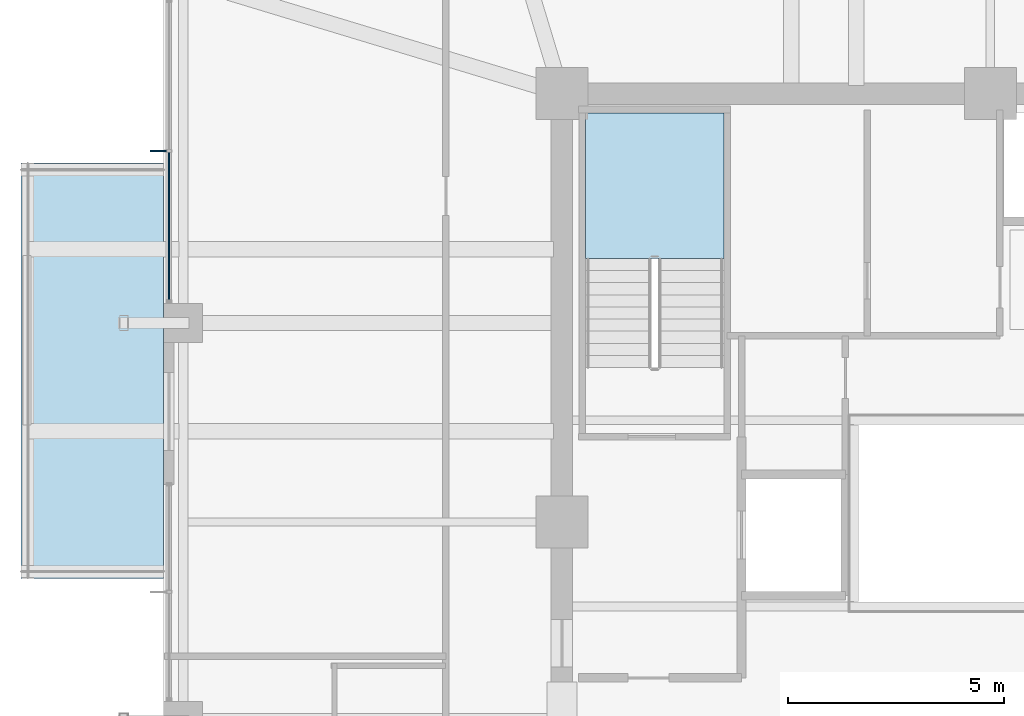
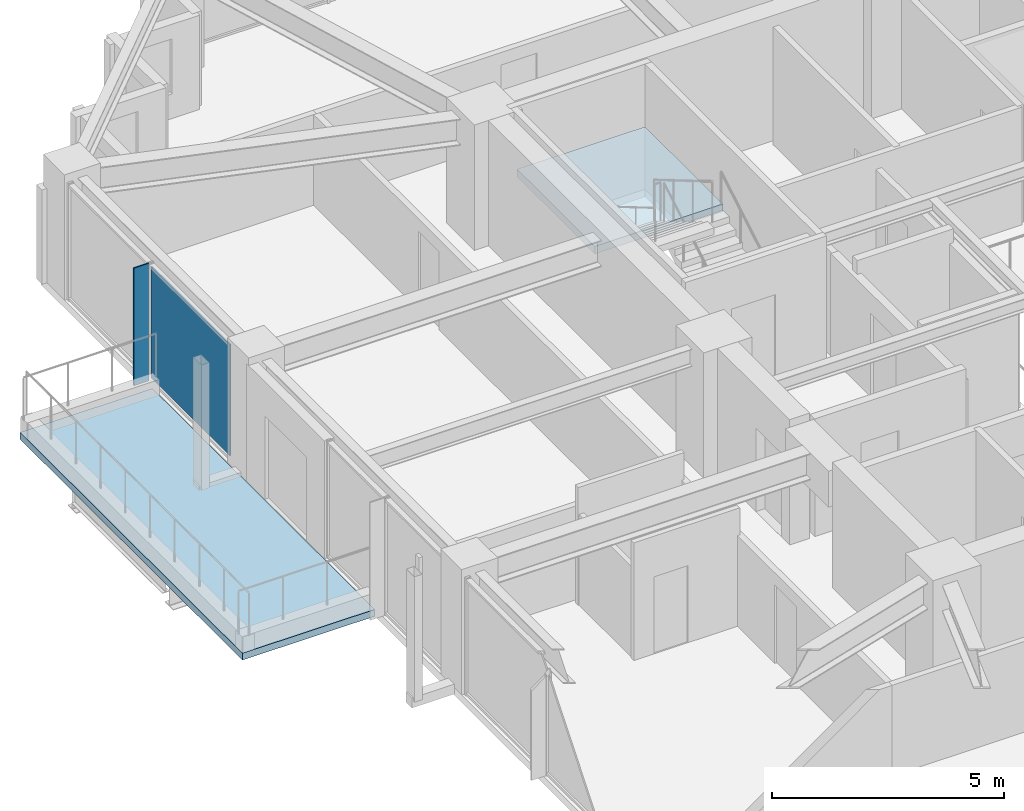
# One storey, part 23 of 34: 2 plates, 2 slabs, 2 elements without a shape of their own.
"""IFC4 building model written with IfcOpenShell, lengths in metres."""

import ifcopenshell
import ifcopenshell.guid

model = None  # the IFC model being written
_history = None  # IfcOwnerHistory: only IFC2X3 demands one
_inside = {}  # id of a spatial element -> (the spatial element, [elements in it])
_under = {}  # id of a project, library or spatial element -> (it, [spatial elements below it])
_declared = {}  # id of a project -> (the project, [libraries it declares])
_typed = {}  # id of a type object -> (the type object, [elements of that type])
_made_of = {}  # id of a material, layer set ... -> (it, [elements and type objects made of it])


def new_model(schema):
    """Start an empty IFC model of exactly this schema.

    Asked for "IFC4X3", IfcOpenShell would pick the latest addendum, in which some entities
    have other attributes; the version numbers below select the first issue.
    IFC2X3 requires an IfcOwnerHistory on every rooted entity: one is made here for all.
    """
    global model, _history
    if schema == "IFC4X3":
        model = ifcopenshell.file(schema_version=(4, 3, 0, 0))
    else:
        model = ifcopenshell.file(schema=schema)
    _inside.clear()
    _under.clear()
    _declared.clear()
    _typed.clear()
    _made_of.clear()
    _history = None
    if model.schema == "IFC2X3":
        org = make("IfcOrganization", Name="unknown")
        user = make(
            "IfcPersonAndOrganization",
            ThePerson=make("IfcPerson", FamilyName="unknown"),
            TheOrganization=org,
        )
        app = make(
            "IfcApplication",
            ApplicationDeveloper=org,
            Version="unknown",
            ApplicationFullName="unknown",
            ApplicationIdentifier="unknown",
        )
        _history = make(
            "IfcOwnerHistory",
            OwningUser=user,
            OwningApplication=app,
            ChangeAction="ADDED",
            CreationDate=0,
        )
    return model


def make(cls, **values):
    """One entity of the class cls with the attributes given. An attribute that is None is left unset."""
    return model.create_entity(
        cls, **{name: value for name, value in values.items() if value is not None}
    )


def rooted(cls, **values):
    """An entity with a GlobalId (a new one), such as an element, a storey or a relation."""
    return make(cls, GlobalId=ifcopenshell.guid.new(), OwnerHistory=_history, **values)


def si_unit(unit_type, name, prefix=None):
    """IfcSIUnit, for example si_unit("LENGTHUNIT", "METRE", prefix="MILLI")."""
    return make("IfcSIUnit", UnitType=unit_type, Prefix=prefix, Name=name)


def assignment(units):
    """IfcUnitAssignment: the units of a project."""
    return None if units is None else make("IfcUnitAssignment", Units=units)


def point(xyz):
    """IfcCartesianPoint."""
    return None if xyz is None else make("IfcCartesianPoint", Coordinates=xyz)


def direction(xyz):
    """IfcDirection."""
    return None if xyz is None else make("IfcDirection", DirectionRatios=xyz)


def frame(location, z_axis=None, x_axis=None):
    """IfcAxis2Placement3D, a coordinate frame: its origin and axes. An axis left out is left unset."""
    return make(
        "IfcAxis2Placement3D",
        Location=point(location),
        Axis=direction(z_axis),
        RefDirection=direction(x_axis),
    )


def frame_2d(location, x_axis=None):
    """IfcAxis2Placement2D, a coordinate frame in the plane: its origin and x axis."""
    return make(
        "IfcAxis2Placement2D", Location=point(location), RefDirection=direction(x_axis)
    )


def origin():
    """The frame at (0, 0, 0) with its axes left unset."""
    return frame((0.0, 0.0, 0.0))


def origin_2d():
    """The frame at (0, 0) in the plane with its x axis left unset."""
    return frame_2d((0.0, 0.0))


def place(relative_to, where):
    """IfcLocalPlacement: puts the frame where relative to a parent placement (None: the world)."""
    return make(
        "IfcLocalPlacement", PlacementRelTo=relative_to, RelativePlacement=where
    )


def context(
    kind, dimensions, precision=None, world=None, true_north=None, identifier=None
):
    """IfcGeometricRepresentationContext, for example the 3D "Model" context."""
    return make(
        "IfcGeometricRepresentationContext",
        ContextIdentifier=identifier,
        ContextType=kind,
        CoordinateSpaceDimension=dimensions,
        Precision=precision,
        WorldCoordinateSystem=world,
        TrueNorth=true_north,
    )


def subcontext(parent, identifier, kind, view, scale=None):
    """IfcGeometricRepresentationSubContext, for example "Body" below "Model"."""
    return make(
        "IfcGeometricRepresentationSubContext",
        ContextIdentifier=identifier,
        ContextType=kind,
        ParentContext=parent,
        TargetScale=scale,
        TargetView=view,
    )


def project(units=None, contexts=None):
    """IfcProject with its units and contexts."""
    return rooted(
        "IfcProject",
        Name="project",
        RepresentationContexts=contexts,
        UnitsInContext=assignment(units),
    )


def spatial(cls, under=None, at=None, **own):
    """A site, building, storey or space (cls), placed at a placement, below another one or the project."""
    s = rooted(cls, ObjectPlacement=at, **own)
    if under is not None:
        _under.setdefault(under.id(), (under, []))[1].append(s)
    return s


def polyline(points):
    """IfcPolyline through the points."""
    return make("IfcPolyline", Points=[point(p) for p in points])


def profile(cls, at=None, kind="AREA", **sizes):
    """A parametric profile (cls). Its sizes go by their IFC names, for example OverallWidth=200.0."""
    return make(cls, ProfileType=kind, Position=at, **sizes)


def rectangle(**sizes):
    """IfcRectangleProfileDef."""
    return profile("IfcRectangleProfileDef", **sizes)


def outline(outer, holes=None, kind="AREA"):
    """IfcArbitraryClosedProfileDef: a profile drawn as a closed curve; with holes, ...WithVoids."""
    if holes is None:
        return make("IfcArbitraryClosedProfileDef", ProfileType=kind, OuterCurve=outer)
    return make(
        "IfcArbitraryProfileDefWithVoids",
        ProfileType=kind,
        OuterCurve=outer,
        InnerCurves=holes,
    )


def extrude(swept, where, along, depth):
    """IfcExtrudedAreaSolid: the profile swept, set in the frame where, extruded along a direction by depth."""
    return make(
        "IfcExtrudedAreaSolid",
        SweptArea=swept,
        Position=where,
        ExtrudedDirection=direction(along),
        Depth=depth,
    )


def shape(context_of_items, identifier, shape_type, items):
    """IfcShapeRepresentation: the items that make up one representation, for example the "Body"."""
    return make(
        "IfcShapeRepresentation",
        ContextOfItems=context_of_items,
        RepresentationIdentifier=identifier,
        RepresentationType=shape_type,
        Items=items,
    )


def material(Name=None, Category=None):
    """IfcMaterial."""
    return make("IfcMaterial", Name=Name, Category=Category)


def layer(
    of_material, thickness, ventilated=None, Name=None, Category=None, Priority=None
):
    """IfcMaterialLayer: one layer of a wall or slab, of a material (None: an air gap)."""
    return make(
        "IfcMaterialLayer",
        Material=of_material,
        LayerThickness=thickness,
        IsVentilated=ventilated,
        Name=Name,
        Category=Category,
        Priority=Priority,
    )


def layer_set(layers, Name=None):
    """IfcMaterialLayerSet."""
    return make("IfcMaterialLayerSet", MaterialLayers=layers, LayerSetName=Name)


def made_of(thing, what):
    """Note that an element or type object is made of a material, layer set ...; save() writes the relation."""
    if what is not None:
        _made_of.setdefault(what.id(), (what, []))[1].append(thing)
    return thing


def type_object(cls, material=None, **own):
    """A type object (cls), such as IfcWallType, which elements share."""
    return made_of(rooted(cls, **own), material)


def element(
    cls,
    number,
    at=None,
    inside=None,
    cuts=None,
    type_object=None,
    material=None,
    context=None,
    identifier="Body",
    shape_type=None,
    held_by="IfcProductDefinitionShape",
    body=None,
    shapes=None,
    **own,
):
    """One element of the class cls, such as IfcWall. Its Tag is "e" and its number.

    at: its placement. inside: the storey or other place that contains it. cuts: it is an
    opening in that element (IfcRelVoidsElement). A single representation is given by context,
    identifier, shape_type and body (its items); several are given by shapes. held_by: the class
    of the entity that holds the representations. save() writes the other relations.
    """
    e = rooted(cls, Tag="e%d" % number, ObjectPlacement=at, **own)
    if body is not None:
        shapes = [shape(context, identifier, shape_type, body)]
    if shapes is not None:
        e.Representation = make(held_by, Representations=shapes)
    if inside is not None:
        _inside.setdefault(inside.id(), (inside, []))[1].append(e)
    if cuts is not None:
        rooted(
            "IfcRelVoidsElement", RelatingBuildingElement=cuts, RelatedOpeningElement=e
        )
    if type_object is not None:
        _typed.setdefault(type_object.id(), (type_object, []))[1].append(e)
    return made_of(e, material)


def aggregate(whole, parts):
    """IfcRelAggregates: a whole, such as a stair, and the parts it consists of."""
    return rooted("IfcRelAggregates", RelatingObject=whole, RelatedObjects=parts)


def save(model, path):
    """Write the relations noted so far, then the file.

    IfcRelAggregates (storeys below a building ...), IfcRelContainedInSpatialStructure (elements
    in a storey), IfcRelDefinesByType, IfcRelAssociatesMaterial and IfcRelDeclares: one each for
    every whole, place, type object, material and project.
    """
    for whole, parts in _under.values():
        aggregate(whole, parts)
    for where, things in _inside.values():
        rooted(
            "IfcRelContainedInSpatialStructure",
            RelatedElements=things,
            RelatingStructure=where,
        )
    for kind, things in _typed.values():
        rooted("IfcRelDefinesByType", RelatedObjects=things, RelatingType=kind)
    for what, things in _made_of.values():
        rooted("IfcRelAssociatesMaterial", RelatedObjects=things, RelatingMaterial=what)
    for by, libraries in _declared.values():
        rooted("IfcRelDeclares", RelatingContext=by, RelatedDefinitions=libraries)
    model.write(path)


model = new_model("IFC4")

# Units and contexts
model_context = context("Model", 3, precision=1e-05, world=origin(), true_north=direction((0.0, 1.0)))
body_context = subcontext(model_context, "Body", "Model", "MODEL_VIEW")
ifc_project = project(units=[si_unit("LENGTHUNIT", "METRE"), si_unit("AREAUNIT", "SQUARE_METRE"), si_unit("VOLUMEUNIT", "CUBIC_METRE"), si_unit("PLANEANGLEUNIT", "RADIAN"), si_unit("MASSUNIT", "GRAM", prefix="KILO")], contexts=[model_context])

# Site, building, storey
site_placement = place(None, origin())
site = spatial("IfcSite", under=ifc_project, at=site_placement, CompositionType="ELEMENT")
building_placement = place(site_placement, origin())
building = spatial("IfcBuilding", under=site, at=building_placement, Name="Kolvaren Belvedere", CompositionType="ELEMENT")
storey_placement = place(building_placement, frame((0.0, 0.0, 166.800048828125)))
storey = spatial("IfcBuildingStorey", under=building, at=storey_placement, Name="L48", CompositionType="ELEMENT", Elevation=166.800048828125)

# Curtain wall, plate
ifc_material_1 = material(Name="Anodised pale-metal aluminium AA 6063-T6", Category="aluminium")
curtain_wall_type = type_object("IfcCurtainWallType", Name="CW-Z3-WAIST", PredefinedType="NOTDEFINED", material=ifc_material_1)
curtain_wall_placement = place(storey_placement, origin())
curtain_wall = element("IfcCurtainWall", 1, at=curtain_wall_placement, inside=storey, type_object=curtain_wall_type, Name="L48 Unitised Curtain Wall FCW-L48-W2", PredefinedType="NOTDEFINED")
ifc_material_2 = material(Name="Low-iron triple insulated glass", Category="glass")
ifc_layer_1 = layer(ifc_material_2, 0.028076171875)
ifc_layer_set_1 = layer_set([ifc_layer_1], Name="Low-iron triple insulated glass")
plate_type_1 = type_object("IfcPlateType", Name="CW-PNL-VIS28", PredefinedType="CURTAIN_PANEL", material=ifc_layer_set_1)
plate_1_placement = place(storey_placement, frame((-18.97998046875, 6.8388671875, 0.080078125), z_axis=(0.0, 0.0, 1.0), x_axis=(0.0, 1.0, 0.0)))
plate_1 = element("IfcPlate", 2, at=plate_1_placement, type_object=plate_type_1, Name="FCW-L48-W2 Vision Glazing Panel 1", PredefinedType="CURTAIN_PANEL", context=body_context, shape_type="SweptSolid", body=[
    extrude(rectangle(XDim=3.392578125, YDim=0.028076171875, at=origin_2d()), origin(), (0.0, 0.0, 1.0), 2.93994140625),
])
aggregate(curtain_wall, [plate_1])

# Plate
ifc_material_3 = material(Name="Anodised pale-metal aluminium AA 6063-T6", Category="aluminium")
ifc_layer_2 = layer(ifc_material_3, 0.033935546875)
ifc_layer_set_2 = layer_set([ifc_layer_2], Name="Anodised pale-metal aluminium AA 6063-T6")
plate_type_2 = type_object("IfcPlateType", Name="FIN-VERT-380", PredefinedType="USERDEFINED", material=ifc_layer_set_2)
plate_2_placement = place(storey_placement, frame((-19.219970703125, 8.574951171875, 0.0), z_axis=(0.0, 0.0, 1.0), x_axis=(1.0, 0.0, 0.0)))
element("IfcPlate", 3, at=plate_2_placement, inside=storey, type_object=plate_type_2, Name="L48 Pale-Metal Vertical Shading Fin FCW-L48-W2-1", ObjectType="VERTICAL FIN", PredefinedType="USERDEFINED", context=body_context, shape_type="SweptSolid", body=[
    extrude(rectangle(XDim=0.3798828125, YDim=0.033935546875, at=origin_2d()), origin(), (0.0, 0.0, 1.0), 3.10009765625),
])

# Slab
ifc_material_4 = material(Name="Concrete C50/60", Category="concrete")
ifc_layer_3 = layer(ifc_material_4, 0.179931640625)
ifc_layer_set_3 = layer_set([ifc_layer_3], Name="Concrete C50/60")
slab_type_1 = type_object("IfcSlabType", Name="SL-BAL-180", PredefinedType="FLOOR", material=ifc_layer_set_3)
slab_1_placement = place(storey_placement, frame((0.0, 0.0, -0.199951171875)))
element("IfcSlab", 4, at=slab_1_placement, inside=storey, type_object=slab_type_1, Name="L48 Planted Sky Terrace SPIRAL-07-W", PredefinedType="FLOOR", context=body_context, shape_type="SweptSolid", body=[
    extrude(outline(polyline([(-22.39990234375, -1.300048828125), (-19.10009765625, -1.300048828125), (-19.10009765625, 8.300048828125), (-22.39990234375, 8.300048828125), (-22.39990234375, -1.300048828125)])), origin(), (0.0, 0.0, 1.0), 0.179931640625),
])

# Stair, slab
ifc_material_5 = material(Name="Concrete C50/60", Category="concrete")
stair_type = type_object("IfcStairType", Name="ST-CORE-1520", PredefinedType="HALF_TURN_STAIR", material=ifc_material_5)
stair_placement = place(storey_placement, origin())
stair = element("IfcStair", 5, at=stair_placement, inside=storey, type_object=stair_type, Name="L48 Protected Exit Stair ST-1", PredefinedType="HALF_TURN_STAIR")
ifc_material_6 = material(Name="Concrete C50/60", Category="concrete")
ifc_layer_4 = layer(ifc_material_6, 0.260009765625)
ifc_layer_set_4 = layer_set([ifc_layer_4], Name="Concrete C50/60")
slab_type_2 = type_object("IfcSlabType", Name="SL-LAND-260", PredefinedType="LANDING", material=ifc_layer_set_4)
slab_2_placement = place(storey_placement, frame((0.0, 0.0, 1.449951171875)))
slab_2 = element("IfcSlab", 6, at=slab_2_placement, type_object=slab_type_2, Name="ST-1 landing 1", PredefinedType="LANDING", context=body_context, shape_type="SweptSolid", body=[
    extrude(outline(polyline([(-6.159912109375, 6.090087890625), (-6.159912109375, 9.449951171875), (-9.35009765625, 9.449951171875), (-9.35009765625, 6.090087890625), (-6.159912109375, 6.090087890625)])), origin(), (0.0, 0.0, 1.0), 0.199951171875),
])
aggregate(stair, [slab_2])

save(model, "model.ifc")
